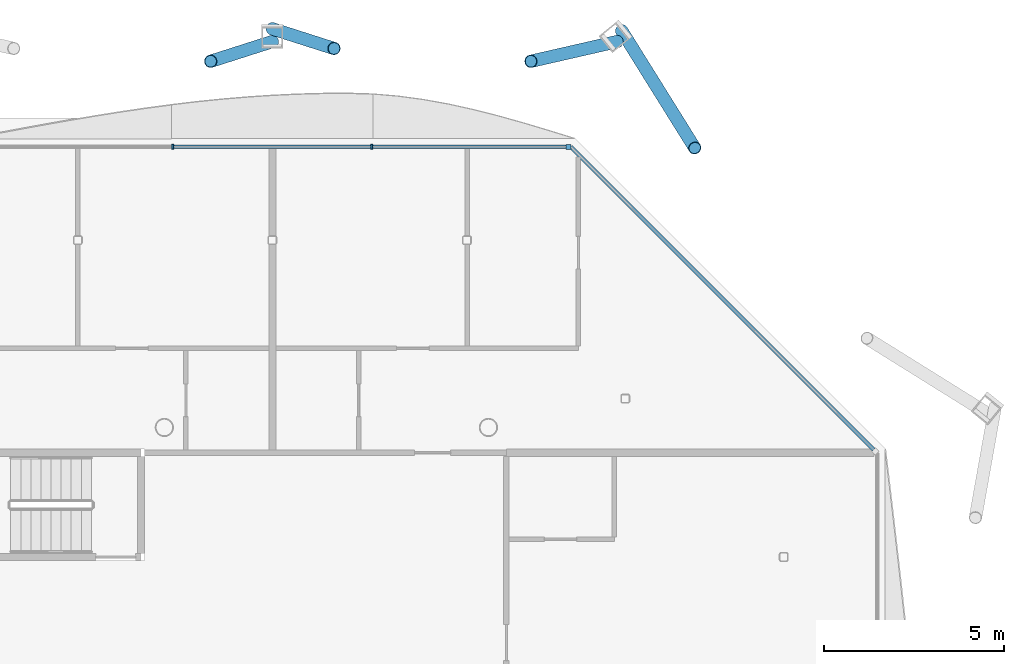
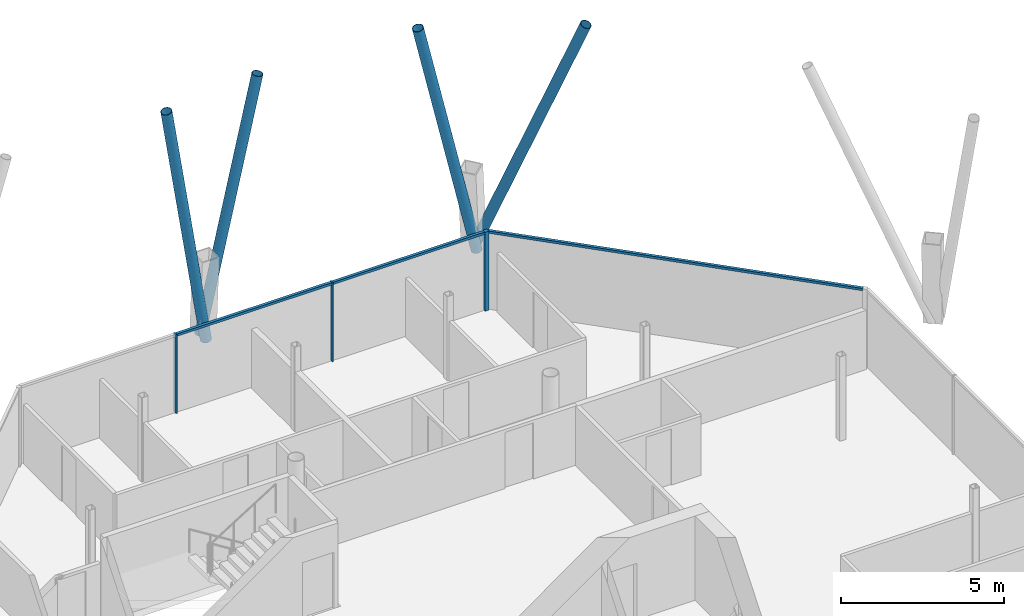
# One storey, part 8 of 17: 10 members, 2 elements without a shape of their own.
"""IFC4 building model written with IfcOpenShell, lengths in metres."""

from ifc_helpers import new_model, si_unit, direction, frame, origin, origin_2d, place, context, subcontext, project, spatial, rectangle, hollow_circle, extrude, material, material_profile, profile_set, type_object, element, aggregate, save


model = new_model("IFC4")

# Units and contexts
model_context = context("Model", 3, precision=1e-05, world=origin(), true_north=direction((0.0, 1.0)))
body_context = subcontext(model_context, "Body", "Model", "MODEL_VIEW")
ifc_project = project(units=[si_unit("LENGTHUNIT", "METRE"), si_unit("AREAUNIT", "SQUARE_METRE"), si_unit("VOLUMEUNIT", "CUBIC_METRE"), si_unit("PLANEANGLEUNIT", "RADIAN"), si_unit("MASSUNIT", "GRAM", prefix="KILO")], contexts=[model_context])

# Site, building, storey
site_placement = place(None, origin())
site = spatial("IfcSite", under=ifc_project, at=site_placement, CompositionType="ELEMENT")
building_placement = place(site_placement, origin())
building = spatial("IfcBuilding", under=site, at=building_placement, Name="Tskaro Facet Tower", CompositionType="ELEMENT")
storey_placement = place(building_placement, frame((0.0, 0.0, 259.5)))
storey = spatial("IfcBuildingStorey", under=building, at=storey_placement, Name="L68", CompositionType="ELEMENT", Elevation=259.5)

# Members
ifc_material_1 = material(Name="Steel S355J2H", Category="steel")
ifc_material_profile_1 = material_profile(ifc_material_1, hollow_circle(Radius=0.177734375, WallThickness=0.01611328125, at=origin_2d()), Name="CHS 355.6x16")
ifc_profile_set_1 = profile_set([ifc_material_profile_1], Name="Steel S355J2H")
member_type_1 = type_object("IfcMemberType", Name="CHS 355.6x16 brace", PredefinedType="BRACE", material=ifc_profile_set_1)
member_1_placement = place(storey_placement, frame((12.69775390625, 20.018798828125, 0.0), z_axis=(0.199244037446, -0.31955632288, 0.926383057946), x_axis=(0.848569080669, 0.529084601301, 0.0)))
element("IfcMember", 1, at=member_1_placement, inside=storey, type_object=member_type_1, Name="CHS 355.6x16 XB06B/6", PredefinedType="BRACE", context=body_context, shape_type="SweptSolid", body=[
    extrude(hollow_circle(Radius=0.177734375, WallThickness=0.01611328125, at=origin_2d()), origin(), (0.0, 0.0, 1.0), 10.200927734375),
])
member_2_placement = place(storey_placement, frame((12.572021484375, 19.715087890625, 0.0), z_axis=(-0.245100396137, -0.056086532191, 0.967874008702), x_axis=(0.223065124481, -0.974803544434, 0.0)))
element("IfcMember", 2, at=member_2_placement, inside=storey, type_object=member_type_1, Name="CHS 355.6x16 XB07A/6", PredefinedType="BRACE", context=body_context, shape_type="SweptSolid", body=[
    extrude(hollow_circle(Radius=0.177734375, WallThickness=0.01611328125, at=origin_2d()), origin(), (0.0, 0.0, 1.0), 9.763671875),
])
for number, where, z_axis, x_axis, name in (
    (3, (3.0, 20.07080078125, 0.0), (0.178112665405, -0.056951385176, 0.982360635484), (0.304559037582, 0.952493460674, 0.0), "CHS 355.6x16 XB07B/6"),
    (4, (3.0, 19.715087890625, 0.0), (-0.178112922791, -0.056926088034, 0.982362055067), (0.304435897463, -0.952532825857, 0.0), "CHS 355.6x16 XB08A/6"),
):
    element("IfcMember", number, at=place(storey_placement, frame(where, z_axis=z_axis, x_axis=x_axis)), inside=storey, type_object=member_type_1, Name=name, PredefinedType="BRACE", context=body_context, shape_type="SweptSolid", body=[
        extrude(hollow_circle(Radius=0.177734375, WallThickness=0.01611328125, at=origin_2d()), origin(), (0.0, 0.0, 1.0), 9.61962890625),
    ])

# Curtain wall, members
ifc_material_2 = material(Name="Bronze anodised aluminium 6063-T6", Category="aluminium")
curtain_wall_type = type_object("IfcCurtainWallType", Name="Bronze residence curtain wall (FW3)", PredefinedType="NOTDEFINED", material=ifc_material_2)
curtain_wall_1_placement = place(storey_placement, origin())
curtain_wall_1 = element("IfcCurtainWall", 5, at=curtain_wall_1_placement, inside=storey, type_object=curtain_wall_type, Name="FW3 north facet L68", PredefinedType="NOTDEFINED")
ifc_material_profile_2 = material_profile(ifc_material_2, rectangle(XDim=0.139892578125, YDim=0.139892578125, at=origin_2d()), Name="Corner post 140x140")
ifc_profile_set_2 = profile_set([ifc_material_profile_2], Name="Bronze anodised aluminium 6063-T6")
member_type_2 = type_object("IfcMemberType", Name="FW3 bronze corner post 140x140", PredefinedType="MULLION", material=ifc_profile_set_2)
member_3_placement = place(storey_placement, frame((11.217041015625, 16.79296875, 0.0), z_axis=(0.0, 0.0, 1.0), x_axis=(-1.0, 0.0, 0.0)))
member_3 = element("IfcMember", 6, at=member_3_placement, type_object=member_type_2, Name="FW3 north corner post", PredefinedType="MULLION", context=body_context, shape_type="SweptSolid", body=[
    extrude(rectangle(XDim=0.139892578125, YDim=0.139892578125, at=origin_2d()), origin(), (0.0, 0.0, 1.0), 2.949951171875),
])
ifc_material_profile_3 = material_profile(ifc_material_2, rectangle(XDim=0.050048828125, YDim=0.139892578125, at=origin_2d()), Name="Mullion 50x140")
ifc_profile_set_3 = profile_set([ifc_material_profile_3], Name="Bronze anodised aluminium 6063-T6")
member_type_3 = type_object("IfcMemberType", Name="FW3 bronze mullion 50x140", PredefinedType="MULLION", material=ifc_profile_set_3)
member_4_placement = place(storey_placement, frame((5.762451171875, 16.79296875, 0.0), z_axis=(0.0, 0.0, 1.0), x_axis=(-1.0, 0.0, 0.0)))
member_4 = element("IfcMember", 7, at=member_4_placement, type_object=member_type_3, Name="FW3 north mullion 1", PredefinedType="MULLION", context=body_context, shape_type="SweptSolid", body=[
    extrude(rectangle(XDim=0.050048828125, YDim=0.139892578125, at=origin_2d()), origin(), (0.0, 0.0, 1.0), 2.949951171875),
])
member_5_placement = place(storey_placement, frame((0.237548828125, 16.79296875, 0.0), z_axis=(0.0, 0.0, 1.0), x_axis=(-1.0, 0.0, 0.0)))
member_5 = element("IfcMember", 8, at=member_5_placement, type_object=member_type_3, Name="FW3 north mullion 2", PredefinedType="MULLION", context=body_context, shape_type="SweptSolid", body=[
    extrude(rectangle(XDim=0.050048828125, YDim=0.139892578125, at=origin_2d()), origin(), (0.0, 0.0, 1.0), 2.949951171875),
])

# Curtain wall, member
curtain_wall_2_placement = place(storey_placement, origin())
curtain_wall_2 = element("IfcCurtainWall", 9, at=curtain_wall_2_placement, inside=storey, type_object=curtain_wall_type, Name="FW3 north-east facet L68", PredefinedType="NOTDEFINED")
ifc_material_profile_4 = material_profile(ifc_material_2, rectangle(XDim=0.10009765625, YDim=0.090087890625, at=origin_2d()), Name="Transom 100x90")
ifc_profile_set_4 = profile_set([ifc_material_profile_4], Name="Bronze anodised aluminium 6063-T6")
member_type_4 = type_object("IfcMemberType", Name="FW3 bronze transom 100x90", PredefinedType="USERDEFINED", material=ifc_profile_set_4)
member_6_placement = place(storey_placement, frame((19.694091796875, 8.385986328125, 2.905029296875), z_axis=(-0.707106781187, 0.707106781187, 0.0), x_axis=(-0.707106781187, -0.707106781187, 0.0)))
member_6 = element("IfcMember", 10, at=member_6_placement, type_object=member_type_4, Name="FW3 north-east transom 1.1", ObjectType="TRANSOM", PredefinedType="USERDEFINED", context=body_context, shape_type="SweptSolid", body=[
    extrude(rectangle(XDim=0.10009765625, YDim=0.090087890625, at=origin_2d()), origin(), (0.0, 0.0, 1.0), 11.88916015625),
])
aggregate(curtain_wall_2, [member_6])

# Member
member_7_placement = place(storey_placement, frame((11.14697265625, 16.79296875, 2.905029296875), z_axis=(-1.0, 0.0, 0.0), x_axis=(0.0, -1.0, 0.0)))
member_7 = element("IfcMember", 11, at=member_7_placement, type_object=member_type_4, Name="FW3 north transom 1.1", ObjectType="TRANSOM", PredefinedType="USERDEFINED", context=body_context, shape_type="SweptSolid", body=[
    extrude(rectangle(XDim=0.10009765625, YDim=0.090087890625, at=origin_2d()), origin(), (0.0, 0.0, 1.0), 5.359619140625),
])

member_8_placement = place(storey_placement, frame((5.7373046875, 16.79296875, 2.905029296875), z_axis=(-1.0, 0.0, 0.0), x_axis=(0.0, -1.0, 0.0)))
member_8 = element("IfcMember", 12, at=member_8_placement, type_object=member_type_4, Name="FW3 north transom 2.1", ObjectType="TRANSOM", PredefinedType="USERDEFINED", context=body_context, shape_type="SweptSolid", body=[
    extrude(rectangle(XDim=0.10009765625, YDim=0.090087890625, at=origin_2d()), origin(), (0.0, 0.0, 1.0), 5.474609375),
])

aggregate(curtain_wall_1, [member_3, member_4, member_5, member_7, member_8])

save(model, "model.ifc")
